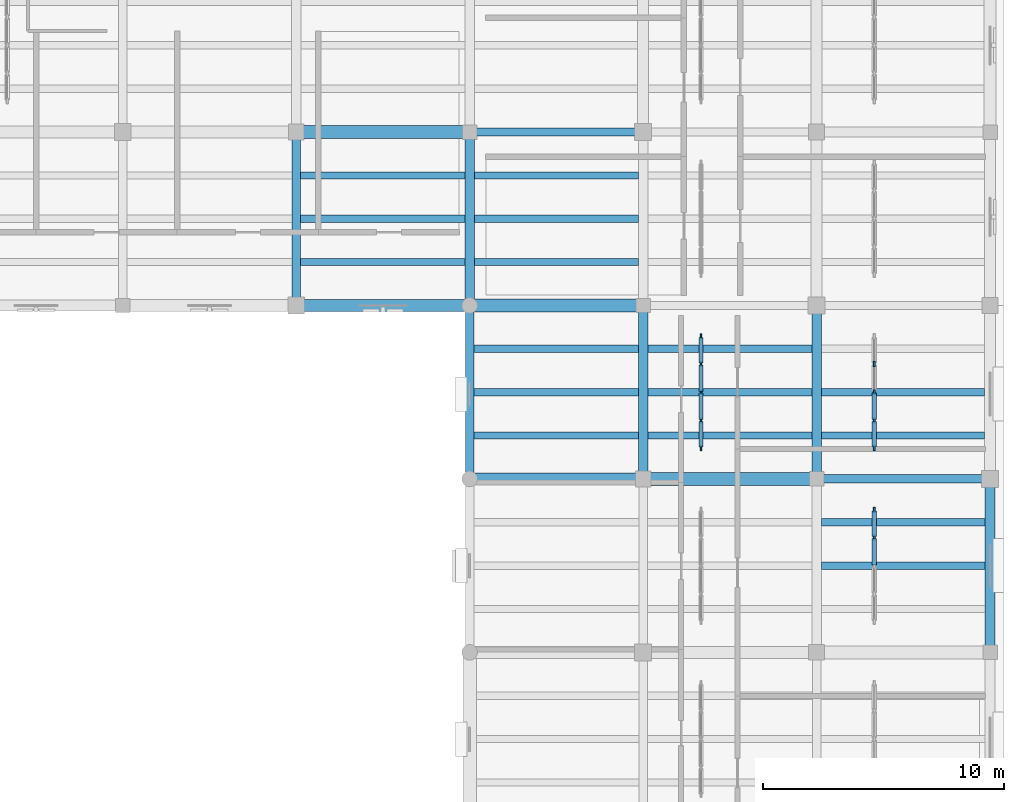
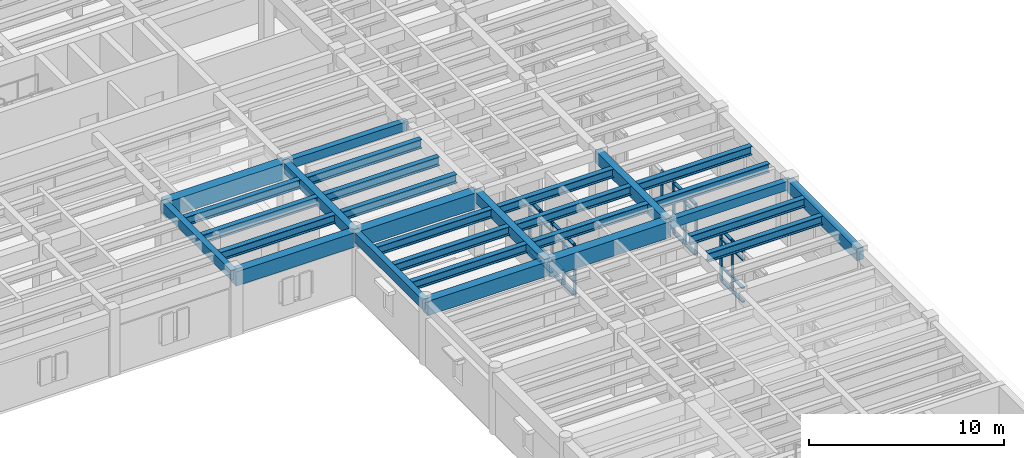
# One storey, part 18 of 66: 43 members, 29 beams, 3 elements without a shape of their own.
"""IFC4 building model written with IfcOpenShell, lengths in metres."""

from ifc_helpers import new_model, si_unit, direction, frame, origin, origin_2d, place, context, subcontext, project, spatial, rectangle, i_section, extrude, material, material_profile, profile_set, type_object, element, aggregate, save


model = new_model("IFC4")

# Units and contexts
model_context = context("Model", 3, precision=1e-05, world=origin(), true_north=direction((0.0, 1.0)))
body_context = subcontext(model_context, "Body", "Model", "MODEL_VIEW")
ifc_project = project(units=[si_unit("LENGTHUNIT", "METRE"), si_unit("AREAUNIT", "SQUARE_METRE"), si_unit("VOLUMEUNIT", "CUBIC_METRE"), si_unit("PLANEANGLEUNIT", "RADIAN"), si_unit("MASSUNIT", "GRAM", prefix="KILO")], contexts=[model_context])

# Site, building, storey
site_placement = place(None, origin())
site = spatial("IfcSite", under=ifc_project, at=site_placement, CompositionType="ELEMENT")
building_placement = place(site_placement, origin())
building = spatial("IfcBuilding", under=site, at=building_placement, Name="Mithqara Police Headquarters", CompositionType="ELEMENT")
storey_placement = place(building_placement, frame((0.0, 0.0, 9.60009765625)))
storey = spatial("IfcBuildingStorey", under=building, at=storey_placement, Name="L02", CompositionType="ELEMENT", Elevation=9.60009765625)

# Beams
ifc_material_1 = material(Name="Steel S355JR", Category="steel")
ifc_material_profile_1 = material_profile(ifc_material_1, i_section(OverallWidth=0.300048828125, OverallDepth=0.550048828125, WebThickness=0.014892578125, FlangeThickness=0.029052734375, FilletRadius=0.027099609375, at=origin_2d()), Name="HEB 550")
ifc_profile_set_1 = profile_set([ifc_material_profile_1], Name="Steel S355JR")
beam_type_1 = type_object("IfcBeamType", Name="BEAM HEB550", PredefinedType="BEAM", material=ifc_profile_set_1)
for number, where, z_axis, x_axis, name in (
    (1, (137.574951171875, 80.39990234375, 3.664794921875), (1.0, 0.0, 0.0), (0.0, 1.0, 0.0), "L02 Composite Steel Joist 20-21/M.1"),
    (2, (137.574951171875, 82.199951171875, 3.664794921875), (1.0, 0.0, 0.0), (0.0, 1.0, 0.0), "L02 Composite Steel Joist 20-21/M.2"),
    (3, (137.574951171875, 84.0, 3.664794921875), (1.0, 0.0, 0.0), (0.0, 1.0, 0.0), "L02 Composite Steel Joist 20-21/M.3"),
):
    element("IfcBeam", number, at=place(storey_placement, frame(where, z_axis=z_axis, x_axis=x_axis)), inside=storey, type_object=beam_type_1, Name=name, PredefinedType="BEAM", context=body_context, shape_type="SweptSolid", body=[
        extrude(i_section(OverallWidth=0.300048828125, OverallDepth=0.550048828125, WebThickness=0.014892578125, FlangeThickness=0.029052734375, FilletRadius=0.027099609375, at=origin_2d()), origin(), (0.0, 0.0, 1.0), 6.824951171875),
    ])
for number, where, z_axis, x_axis, name in (
    (4, (144.77490234375, 73.199951171875, 3.664794921875), (1.0, 0.0, 0.0), (0.0, 1.0, 0.0), "L02 Composite Steel Joist 21-22/L.1"),
    (5, (144.77490234375, 75.0, 3.664794921875), (1.0, 0.0, 0.0), (0.0, 1.0, 0.0), "L02 Composite Steel Joist 21-22/L.2"),
    (6, (144.77490234375, 76.800048828125, 3.664794921875), (1.0, 0.0, 0.0), (0.0, 1.0, 0.0), "L02 Composite Steel Joist 21-22/L.3"),
):
    element("IfcBeam", number, at=place(storey_placement, frame(where, z_axis=z_axis, x_axis=x_axis)), inside=storey, type_object=beam_type_1, Name=name, PredefinedType="BEAM", context=body_context, shape_type="SweptSolid", body=[
        extrude(i_section(OverallWidth=0.300048828125, OverallDepth=0.550048828125, WebThickness=0.014892578125, FlangeThickness=0.029052734375, FilletRadius=0.027099609375, at=origin_2d()), origin(), (0.0, 0.0, 1.0), 6.8251953125),
    ])
for number, where, z_axis, x_axis, name in (
    (7, (144.800048828125, 80.39990234375, 3.664794921875), (1.0, 0.0, 0.0), (0.0, 1.0, 0.0), "L02 Composite Steel Joist 21-22/M.1"),
    (8, (144.800048828125, 82.199951171875, 3.664794921875), (1.0, 0.0, 0.0), (0.0, 1.0, 0.0), "L02 Composite Steel Joist 21-22/M.2"),
    (9, (144.800048828125, 84.0, 3.664794921875), (1.0, 0.0, 0.0), (0.0, 1.0, 0.0), "L02 Composite Steel Joist 21-22/M.3"),
    (10, (152.0, 73.199951171875, 3.664794921875), (1.0, 0.0, 0.0), (0.0, 1.0, 0.0), "L02 Composite Steel Joist 22-23/L.1"),
    (11, (152.0, 75.0, 3.664794921875), (1.0, 0.0, 0.0), (0.0, 1.0, 0.0), "L02 Composite Steel Joist 22-23/L.2"),
    (12, (152.0, 76.800048828125, 3.664794921875), (1.0, 0.0, 0.0), (0.0, 1.0, 0.0), "L02 Composite Steel Joist 22-23/L.3"),
    (13, (159.199951171875, 67.800048828125, 3.664794921875), (1.0, 0.0, 0.0), (0.0, 1.0, 0.0), "L02 Composite Steel Joist 23-24/K.2"),
    (14, (159.199951171875, 69.60009765625, 3.664794921875), (1.0, 0.0, 0.0), (0.0, 1.0, 0.0), "L02 Composite Steel Joist 23-24/K.3"),
):
    element("IfcBeam", number, at=place(storey_placement, frame(where, z_axis=z_axis, x_axis=x_axis)), inside=storey, type_object=beam_type_1, Name=name, PredefinedType="BEAM", context=body_context, shape_type="SweptSolid", body=[
        extrude(i_section(OverallWidth=0.300048828125, OverallDepth=0.550048828125, WebThickness=0.014892578125, FlangeThickness=0.029052734375, FilletRadius=0.027099609375, at=origin_2d()), origin(), (0.0, 0.0, 1.0), 6.800048828125),
    ])
for number, where, z_axis, x_axis, name in (
    (15, (159.199951171875, 73.199951171875, 3.664794921875), (1.0, 0.0, 0.0), (0.0, 1.0, 0.0), "L02 Composite Steel Joist 23-24/L.1"),
    (16, (159.199951171875, 75.0, 3.664794921875), (1.0, 0.0, 0.0), (0.0, 1.0, 0.0), "L02 Composite Steel Joist 23-24/L.2"),
):
    element("IfcBeam", number, at=place(storey_placement, frame(where, z_axis=z_axis, x_axis=x_axis)), inside=storey, type_object=beam_type_1, Name=name, PredefinedType="BEAM", context=body_context, shape_type="SweptSolid", body=[
        extrude(i_section(OverallWidth=0.300048828125, OverallDepth=0.550048828125, WebThickness=0.014892578125, FlangeThickness=0.029052734375, FilletRadius=0.027099609375, at=origin_2d()), origin(), (0.0, 0.0, 1.0), 6.775146484375),
    ])
ifc_material_2 = material(Name="Concrete C40/50", Category="concrete")
ifc_material_profile_2 = material_profile(ifc_material_2, rectangle(XDim=0.35009765625, YDim=0.550048828125, at=origin_2d()), Name="RC 350x550")
ifc_profile_set_2 = profile_set([ifc_material_profile_2], Name="Concrete C40/50")
beam_type_2 = type_object("IfcBeamType", Name="BEAM RC350X550", PredefinedType="BEAM", material=ifc_profile_set_2)
for number, where, z_axis, x_axis, name in (
    (17, (144.60009765625, 85.800048828125, 3.664794921875), (1.0, 0.0, 0.0), (0.0, 1.0, 0.0), "L02 Girder 21-22/N"),
    (18, (159.0, 71.39990234375, 3.664794921875), (1.0, 0.0, 0.0), (0.0, 1.0, 0.0), "L02 Girder 23-24/L"),
):
    element("IfcBeam", number, at=place(storey_placement, frame(where, z_axis=z_axis, x_axis=x_axis)), inside=storey, type_object=beam_type_2, Name=name, PredefinedType="BEAM", context=body_context, shape_type="SweptSolid", body=[
        extrude(rectangle(XDim=0.35009765625, YDim=0.550048828125, at=origin_2d()), origin(), (0.0, 0.0, 1.0), 7.199951171875),
    ])
ifc_material_profile_3 = material_profile(ifc_material_2, rectangle(XDim=0.35009765625, YDim=0.60009765625, at=origin_2d()), Name="RC 350x600")
ifc_profile_set_3 = profile_set([ifc_material_profile_3], Name="Concrete C40/50")
beam_type_3 = type_object("IfcBeamType", Name="BEAM RC350X600", PredefinedType="BEAM", material=ifc_profile_set_3)
beam_1_placement = place(storey_placement, frame((137.39990234375, 78.60009765625, 3.639892578125), z_axis=(0.0, 1.0, 0.0), x_axis=(-1.0, 0.0, 0.0)))
element("IfcBeam", 19, at=beam_1_placement, inside=storey, type_object=beam_type_3, Name="L02 Girder 20/M-N", PredefinedType="BEAM", context=body_context, shape_type="SweptSolid", body=[
    extrude(rectangle(XDim=0.35009765625, YDim=0.60009765625, at=origin_2d()), origin(), (0.0, 0.0, 1.0), 7.199951171875),
])
beam_2_placement = place(storey_placement, frame((144.60009765625, 71.39990234375, 3.639892578125), z_axis=(0.0, 1.0, 0.0), x_axis=(-1.0, 0.0, 0.0)))
element("IfcBeam", 20, at=beam_2_placement, inside=storey, type_object=beam_type_3, Name="L02 Girder 21/L-M", PredefinedType="BEAM", context=body_context, shape_type="SweptSolid", body=[
    extrude(rectangle(XDim=0.35009765625, YDim=0.60009765625, at=origin_2d()), origin(), (0.0, 0.0, 1.0), 7.2001953125),
])
ifc_material_profile_4 = material_profile(ifc_material_2, rectangle(XDim=0.39990234375, YDim=0.64990234375, at=origin_2d()), Name="RC 400x650")
ifc_profile_set_4 = profile_set([ifc_material_profile_4], Name="Concrete C40/50")
beam_type_4 = type_object("IfcBeamType", Name="BEAM RC400X650", PredefinedType="BEAM", material=ifc_profile_set_4)
beam_3_placement = place(storey_placement, frame((144.60009765625, 78.60009765625, 3.614990234375), z_axis=(0.0, 1.0, 0.0), x_axis=(-1.0, 0.0, 0.0)))
element("IfcBeam", 21, at=beam_3_placement, inside=storey, type_object=beam_type_4, Name="L02 Girder 21/M-N", PredefinedType="BEAM", context=body_context, shape_type="SweptSolid", body=[
    extrude(rectangle(XDim=0.39990234375, YDim=0.64990234375, at=origin_2d()), origin(), (0.0, 0.0, 1.0), 7.199951171875),
])
beam_4_placement = place(storey_placement, frame((151.800048828125, 71.39990234375, 3.614990234375), z_axis=(0.0, 1.0, 0.0), x_axis=(-1.0, 0.0, 0.0)))
element("IfcBeam", 22, at=beam_4_placement, inside=storey, type_object=beam_type_4, Name="L02 Girder 22/L-M", PredefinedType="BEAM", context=body_context, shape_type="SweptSolid", body=[
    extrude(rectangle(XDim=0.39990234375, YDim=0.64990234375, at=origin_2d()), origin(), (0.0, 0.0, 1.0), 7.2001953125),
])
ifc_material_profile_5 = material_profile(ifc_material_2, rectangle(XDim=0.39990234375, YDim=0.75, at=origin_2d()), Name="RC 400x750")
ifc_profile_set_5 = profile_set([ifc_material_profile_5], Name="Concrete C40/50")
beam_type_5 = type_object("IfcBeamType", Name="BEAM RC400X750", PredefinedType="BEAM", material=ifc_profile_set_5)
beam_5_placement = place(storey_placement, frame((159.0, 71.39990234375, 3.56494140625), z_axis=(0.0, 1.0, 0.0), x_axis=(-1.0, 0.0, 0.0)))
element("IfcBeam", 23, at=beam_5_placement, inside=storey, type_object=beam_type_5, Name="L02 Girder 23/L-M", PredefinedType="BEAM", context=body_context, shape_type="SweptSolid", body=[
    extrude(rectangle(XDim=0.39990234375, YDim=0.75, at=origin_2d()), origin(), (0.0, 0.0, 1.0), 7.2001953125),
])
beam_6_placement = place(storey_placement, frame((166.199951171875, 64.199951171875, 3.56494140625), z_axis=(0.0, 1.0, 0.0), x_axis=(-1.0, 0.0, 0.0)))
element("IfcBeam", 24, at=beam_6_placement, inside=storey, type_object=beam_type_5, Name="L02 Girder 24/K-L", PredefinedType="BEAM", context=body_context, shape_type="SweptSolid", body=[
    extrude(rectangle(XDim=0.39990234375, YDim=0.75, at=origin_2d()), origin(), (0.0, 0.0, 1.0), 7.199951171875),
])
ifc_material_3 = material(Name="Concrete C50/60", Category="concrete")
ifc_material_profile_6 = material_profile(ifc_material_3, rectangle(XDim=0.5, YDim=0.89990234375, at=origin_2d()), Name="RC 500x900")
ifc_profile_set_6 = profile_set([ifc_material_profile_6], Name="Concrete C50/60")
beam_type_6 = type_object("IfcBeamType", Name="BEAM RC500X900", PredefinedType="BEAM", material=ifc_profile_set_6)
beam_7_placement = place(storey_placement, frame((137.39990234375, 78.60009765625, 3.489990234375), z_axis=(1.0, 0.0, 0.0), x_axis=(0.0, 1.0, 0.0)))
element("IfcBeam", 25, at=beam_7_placement, inside=storey, type_object=beam_type_6, Name="L02 Girder 20-21/M", PredefinedType="BEAM", context=body_context, shape_type="SweptSolid", body=[
    extrude(rectangle(XDim=0.5, YDim=0.89990234375, at=origin_2d()), origin(), (0.0, 0.0, 1.0), 7.2001953125),
])
beam_8_placement = place(storey_placement, frame((144.60009765625, 71.39990234375, 3.489990234375), z_axis=(1.0, 0.0, 0.0), x_axis=(0.0, 1.0, 0.0)))
element("IfcBeam", 26, at=beam_8_placement, inside=storey, type_object=beam_type_6, Name="L02 Girder 21-22/L", PredefinedType="BEAM", context=body_context, shape_type="SweptSolid", body=[
    extrude(rectangle(XDim=0.5, YDim=0.89990234375, at=origin_2d()), origin(), (0.0, 0.0, 1.0), 7.199951171875),
])
ifc_material_profile_7 = material_profile(ifc_material_3, rectangle(XDim=0.550048828125, YDim=1.0, at=origin_2d()), Name="RC 550x1000")
ifc_profile_set_7 = profile_set([ifc_material_profile_7], Name="Concrete C50/60")
beam_type_7 = type_object("IfcBeamType", Name="BEAM RC550X1000", PredefinedType="BEAM", material=ifc_profile_set_7)
beam_9_placement = place(storey_placement, frame((137.39990234375, 85.800048828125, 3.43994140625), z_axis=(1.0, 0.0, 0.0), x_axis=(0.0, 1.0, 0.0)))
element("IfcBeam", 27, at=beam_9_placement, inside=storey, type_object=beam_type_7, Name="L02 Girder 20-21/N", PredefinedType="BEAM", context=body_context, shape_type="SweptSolid", body=[
    extrude(rectangle(XDim=0.550048828125, YDim=1.0, at=origin_2d()), origin(), (0.0, 0.0, 1.0), 7.2001953125),
])
for number, where, z_axis, x_axis, name in (
    (28, (144.60009765625, 78.60009765625, 3.43994140625), (1.0, 0.0, 0.0), (0.0, 1.0, 0.0), "L02 Girder 21-22/M"),
    (29, (151.800048828125, 71.39990234375, 3.43994140625), (1.0, 0.0, 0.0), (0.0, 1.0, 0.0), "L02 Girder 22-23/L"),
):
    element("IfcBeam", number, at=place(storey_placement, frame(where, z_axis=z_axis, x_axis=x_axis)), inside=storey, type_object=beam_type_7, Name=name, PredefinedType="BEAM", context=body_context, shape_type="SweptSolid", body=[
        extrude(rectangle(XDim=0.550048828125, YDim=1.0, at=origin_2d()), origin(), (0.0, 0.0, 1.0), 7.199951171875),
    ])

# Curtain wall, members
ifc_material_4 = material(Name="Bronze anodised aluminium 6063-T6", Category="aluminium")
curtain_wall_type = type_object("IfcCurtainWallType", Name="CURTAIN WALL 4700X3220", PredefinedType="USERDEFINED", material=ifc_material_4)
curtain_wall_1_placement = place(storey_placement, origin())
curtain_wall_1 = element("IfcCurtainWall", 30, at=curtain_wall_1_placement, inside=storey, type_object=curtain_wall_type, Name="L02 Unitised Glazing CW-16 (CW-INT-L02-X21-Y10-0)", ObjectType="UNITISED GLAZING", PredefinedType="USERDEFINED")
ifc_material_profile_8 = material_profile(ifc_material_4, rectangle(XDim=0.074951171875, YDim=0.219970703125, at=origin_2d()), Name="CWM 75x220")
ifc_profile_set_8 = profile_set([ifc_material_profile_8], Name="Bronze anodised aluminium 6063-T6")
member_type_1 = type_object("IfcMemberType", Name="CWMULLION 75X220", PredefinedType="MULLION", material=ifc_profile_set_8)
member_1_placement = place(storey_placement, frame((154.199951171875, 72.6875, 0.0), z_axis=(0.0, 0.0, 1.0), x_axis=(-1.0, 0.0, 0.0)))
member_1 = element("IfcMember", 31, at=member_1_placement, type_object=member_type_1, Name="CW-16 mullion 1", PredefinedType="MULLION", context=body_context, shape_type="SweptSolid", body=[
    extrude(rectangle(XDim=0.074951171875, YDim=0.219970703125, at=origin_2d()), origin(), (0.0, 0.0, 1.0), 3.219970703125),
])
member_2_placement = place(storey_placement, frame((154.199951171875, 73.824951171875, 0.0), z_axis=(0.0, 0.0, 1.0), x_axis=(-1.0, 0.0, 0.0)))
member_2 = element("IfcMember", 32, at=member_2_placement, type_object=member_type_1, Name="CW-16 mullion 2", PredefinedType="MULLION", context=body_context, shape_type="SweptSolid", body=[
    extrude(rectangle(XDim=0.074951171875, YDim=0.219970703125, at=origin_2d()), origin(), (0.0, 0.0, 1.0), 3.219970703125),
])
member_3_placement = place(storey_placement, frame((154.199951171875, 75.0, 0.0), z_axis=(0.0, 0.0, 1.0), x_axis=(-1.0, 0.0, 0.0)))
member_3 = element("IfcMember", 33, at=member_3_placement, type_object=member_type_1, Name="CW-16 mullion 3", PredefinedType="MULLION", context=body_context, shape_type="SweptSolid", body=[
    extrude(rectangle(XDim=0.074951171875, YDim=0.219970703125, at=origin_2d()), origin(), (0.0, 0.0, 1.0), 3.219970703125),
])
member_4_placement = place(storey_placement, frame((154.199951171875, 76.175048828125, 0.0), z_axis=(0.0, 0.0, 1.0), x_axis=(-1.0, 0.0, 0.0)))
member_4 = element("IfcMember", 34, at=member_4_placement, type_object=member_type_1, Name="CW-16 mullion 4", PredefinedType="MULLION", context=body_context, shape_type="SweptSolid", body=[
    extrude(rectangle(XDim=0.074951171875, YDim=0.219970703125, at=origin_2d()), origin(), (0.0, 0.0, 1.0), 3.219970703125),
])
member_5_placement = place(storey_placement, frame((154.199951171875, 77.3125, 0.0), z_axis=(0.0, 0.0, 1.0), x_axis=(-1.0, 0.0, 0.0)))
member_5 = element("IfcMember", 35, at=member_5_placement, type_object=member_type_1, Name="CW-16 mullion 5", PredefinedType="MULLION", context=body_context, shape_type="SweptSolid", body=[
    extrude(rectangle(XDim=0.074951171875, YDim=0.219970703125, at=origin_2d()), origin(), (0.0, 0.0, 1.0), 3.219970703125),
])

curtain_wall_2_placement = place(storey_placement, origin())
curtain_wall_2 = element("IfcCurtainWall", 36, at=curtain_wall_2_placement, inside=storey, type_object=curtain_wall_type, Name="L02 Unitised Glazing CW-16 (CW-INT-L02-X22-Y09-0)", ObjectType="UNITISED GLAZING", PredefinedType="USERDEFINED")
member_6_placement = place(storey_placement, frame((161.39990234375, 68.97509765625, 0.0), z_axis=(0.0, 0.0, 1.0), x_axis=(-1.0, 0.0, 0.0)))
member_6 = element("IfcMember", 37, at=member_6_placement, type_object=member_type_1, Name="CW-16 mullion 4", PredefinedType="MULLION", context=body_context, shape_type="SweptSolid", body=[
    extrude(rectangle(XDim=0.074951171875, YDim=0.219970703125, at=origin_2d()), origin(), (0.0, 0.0, 1.0), 3.219970703125),
])
member_7_placement = place(storey_placement, frame((161.39990234375, 70.112548828125, 0.0), z_axis=(0.0, 0.0, 1.0), x_axis=(-1.0, 0.0, 0.0)))
member_7 = element("IfcMember", 38, at=member_7_placement, type_object=member_type_1, Name="CW-16 mullion 5", PredefinedType="MULLION", context=body_context, shape_type="SweptSolid", body=[
    extrude(rectangle(XDim=0.074951171875, YDim=0.219970703125, at=origin_2d()), origin(), (0.0, 0.0, 1.0), 3.219970703125),
])

curtain_wall_3_placement = place(storey_placement, origin())
curtain_wall_3 = element("IfcCurtainWall", 39, at=curtain_wall_3_placement, inside=storey, type_object=curtain_wall_type, Name="L02 Unitised Glazing CW-16 (CW-INT-L02-X22-Y10-0)", ObjectType="UNITISED GLAZING", PredefinedType="USERDEFINED")
member_8_placement = place(storey_placement, frame((161.39990234375, 72.6875, 0.0), z_axis=(0.0, 0.0, 1.0), x_axis=(-1.0, 0.0, 0.0)))
member_8 = element("IfcMember", 40, at=member_8_placement, type_object=member_type_1, Name="CW-16 mullion 1", PredefinedType="MULLION", context=body_context, shape_type="SweptSolid", body=[
    extrude(rectangle(XDim=0.074951171875, YDim=0.219970703125, at=origin_2d()), origin(), (0.0, 0.0, 1.0), 3.219970703125),
])
member_9_placement = place(storey_placement, frame((161.39990234375, 73.824951171875, 0.0), z_axis=(0.0, 0.0, 1.0), x_axis=(-1.0, 0.0, 0.0)))
member_9 = element("IfcMember", 41, at=member_9_placement, type_object=member_type_1, Name="CW-16 mullion 2", PredefinedType="MULLION", context=body_context, shape_type="SweptSolid", body=[
    extrude(rectangle(XDim=0.074951171875, YDim=0.219970703125, at=origin_2d()), origin(), (0.0, 0.0, 1.0), 3.219970703125),
])
member_10_placement = place(storey_placement, frame((161.39990234375, 75.0, 0.0), z_axis=(0.0, 0.0, 1.0), x_axis=(-1.0, 0.0, 0.0)))
member_10 = element("IfcMember", 42, at=member_10_placement, type_object=member_type_1, Name="CW-16 mullion 3", PredefinedType="MULLION", context=body_context, shape_type="SweptSolid", body=[
    extrude(rectangle(XDim=0.074951171875, YDim=0.219970703125, at=origin_2d()), origin(), (0.0, 0.0, 1.0), 3.219970703125),
])
member_11_placement = place(storey_placement, frame((161.39990234375, 76.175048828125, 0.0), z_axis=(0.0, 0.0, 1.0), x_axis=(-1.0, 0.0, 0.0)))
member_11 = element("IfcMember", 43, at=member_11_placement, type_object=member_type_1, Name="CW-16 mullion 4", PredefinedType="MULLION", context=body_context, shape_type="SweptSolid", body=[
    extrude(rectangle(XDim=0.074951171875, YDim=0.219970703125, at=origin_2d()), origin(), (0.0, 0.0, 1.0), 3.219970703125),
])

# Member
ifc_material_profile_9 = material_profile(ifc_material_4, rectangle(XDim=0.179931640625, YDim=0.074951171875, at=origin_2d()), Name="CWT 180x75")
ifc_profile_set_9 = profile_set([ifc_material_profile_9], Name="Bronze anodised aluminium 6063-T6")
member_type_2 = type_object("IfcMemberType", Name="CWTRANSOM 180X75", PredefinedType="USERDEFINED", material=ifc_profile_set_9)
member_12_placement = place(storey_placement, frame((154.199951171875, 72.72509765625, 0.037353515625), z_axis=(0.0, 1.0, 0.0), x_axis=(-1.0, 0.0, 0.0)))
member_12 = element("IfcMember", 44, at=member_12_placement, type_object=member_type_2, Name="CW-16 transom 1.1", ObjectType="TRANSOM", PredefinedType="USERDEFINED", context=body_context, shape_type="SweptSolid", body=[
    extrude(rectangle(XDim=0.179931640625, YDim=0.074951171875, at=origin_2d()), origin(), (0.0, 0.0, 1.0), 1.0625),
])

member_13_placement = place(storey_placement, frame((154.199951171875, 72.72509765625, 0.89990234375), z_axis=(0.0, 1.0, 0.0), x_axis=(-1.0, 0.0, 0.0)))
member_13 = element("IfcMember", 45, at=member_13_placement, type_object=member_type_2, Name="CW-16 transom 1.2", ObjectType="TRANSOM", PredefinedType="USERDEFINED", context=body_context, shape_type="SweptSolid", body=[
    extrude(rectangle(XDim=0.179931640625, YDim=0.074951171875, at=origin_2d()), origin(), (0.0, 0.0, 1.0), 1.0625),
])

member_14_placement = place(storey_placement, frame((154.199951171875, 72.72509765625, 2.669921875), z_axis=(0.0, 1.0, 0.0), x_axis=(-1.0, 0.0, 0.0)))
member_14 = element("IfcMember", 46, at=member_14_placement, type_object=member_type_2, Name="CW-16 transom 1.3", ObjectType="TRANSOM", PredefinedType="USERDEFINED", context=body_context, shape_type="SweptSolid", body=[
    extrude(rectangle(XDim=0.179931640625, YDim=0.074951171875, at=origin_2d()), origin(), (0.0, 0.0, 1.0), 1.0625),
])

member_15_placement = place(storey_placement, frame((154.199951171875, 72.72509765625, 3.182373046875), z_axis=(0.0, 1.0, 0.0), x_axis=(-1.0, 0.0, 0.0)))
member_15 = element("IfcMember", 47, at=member_15_placement, type_object=member_type_2, Name="CW-16 transom 1.4", ObjectType="TRANSOM", PredefinedType="USERDEFINED", context=body_context, shape_type="SweptSolid", body=[
    extrude(rectangle(XDim=0.179931640625, YDim=0.074951171875, at=origin_2d()), origin(), (0.0, 0.0, 1.0), 1.0625),
])

member_16_placement = place(storey_placement, frame((154.199951171875, 73.862548828125, 0.037353515625), z_axis=(0.0, 1.0, 0.0), x_axis=(-1.0, 0.0, 0.0)))
member_16 = element("IfcMember", 48, at=member_16_placement, type_object=member_type_2, Name="CW-16 transom 2.1", ObjectType="TRANSOM", PredefinedType="USERDEFINED", context=body_context, shape_type="SweptSolid", body=[
    extrude(rectangle(XDim=0.179931640625, YDim=0.074951171875, at=origin_2d()), origin(), (0.0, 0.0, 1.0), 1.099853515625),
])

member_17_placement = place(storey_placement, frame((154.199951171875, 73.862548828125, 0.89990234375), z_axis=(0.0, 1.0, 0.0), x_axis=(-1.0, 0.0, 0.0)))
member_17 = element("IfcMember", 49, at=member_17_placement, type_object=member_type_2, Name="CW-16 transom 2.2", ObjectType="TRANSOM", PredefinedType="USERDEFINED", context=body_context, shape_type="SweptSolid", body=[
    extrude(rectangle(XDim=0.179931640625, YDim=0.074951171875, at=origin_2d()), origin(), (0.0, 0.0, 1.0), 1.099853515625),
])

member_18_placement = place(storey_placement, frame((154.199951171875, 73.862548828125, 2.669921875), z_axis=(0.0, 1.0, 0.0), x_axis=(-1.0, 0.0, 0.0)))
member_18 = element("IfcMember", 50, at=member_18_placement, type_object=member_type_2, Name="CW-16 transom 2.3", ObjectType="TRANSOM", PredefinedType="USERDEFINED", context=body_context, shape_type="SweptSolid", body=[
    extrude(rectangle(XDim=0.179931640625, YDim=0.074951171875, at=origin_2d()), origin(), (0.0, 0.0, 1.0), 1.099853515625),
])

member_19_placement = place(storey_placement, frame((154.199951171875, 73.862548828125, 3.182373046875), z_axis=(0.0, 1.0, 0.0), x_axis=(-1.0, 0.0, 0.0)))
member_19 = element("IfcMember", 51, at=member_19_placement, type_object=member_type_2, Name="CW-16 transom 2.4", ObjectType="TRANSOM", PredefinedType="USERDEFINED", context=body_context, shape_type="SweptSolid", body=[
    extrude(rectangle(XDim=0.179931640625, YDim=0.074951171875, at=origin_2d()), origin(), (0.0, 0.0, 1.0), 1.099853515625),
])

member_20_placement = place(storey_placement, frame((154.199951171875, 75.03759765625, 0.037353515625), z_axis=(0.0, 1.0, 0.0), x_axis=(-1.0, 0.0, 0.0)))
member_20 = element("IfcMember", 52, at=member_20_placement, type_object=member_type_2, Name="CW-16 transom 3.1", ObjectType="TRANSOM", PredefinedType="USERDEFINED", context=body_context, shape_type="SweptSolid", body=[
    extrude(rectangle(XDim=0.179931640625, YDim=0.074951171875, at=origin_2d()), origin(), (0.0, 0.0, 1.0), 1.099853515625),
])

member_21_placement = place(storey_placement, frame((154.199951171875, 75.03759765625, 0.89990234375), z_axis=(0.0, 1.0, 0.0), x_axis=(-1.0, 0.0, 0.0)))
member_21 = element("IfcMember", 53, at=member_21_placement, type_object=member_type_2, Name="CW-16 transom 3.2", ObjectType="TRANSOM", PredefinedType="USERDEFINED", context=body_context, shape_type="SweptSolid", body=[
    extrude(rectangle(XDim=0.179931640625, YDim=0.074951171875, at=origin_2d()), origin(), (0.0, 0.0, 1.0), 1.099853515625),
])

member_22_placement = place(storey_placement, frame((154.199951171875, 75.03759765625, 2.669921875), z_axis=(0.0, 1.0, 0.0), x_axis=(-1.0, 0.0, 0.0)))
member_22 = element("IfcMember", 54, at=member_22_placement, type_object=member_type_2, Name="CW-16 transom 3.3", ObjectType="TRANSOM", PredefinedType="USERDEFINED", context=body_context, shape_type="SweptSolid", body=[
    extrude(rectangle(XDim=0.179931640625, YDim=0.074951171875, at=origin_2d()), origin(), (0.0, 0.0, 1.0), 1.099853515625),
])

member_23_placement = place(storey_placement, frame((154.199951171875, 75.03759765625, 3.182373046875), z_axis=(0.0, 1.0, 0.0), x_axis=(-1.0, 0.0, 0.0)))
member_23 = element("IfcMember", 55, at=member_23_placement, type_object=member_type_2, Name="CW-16 transom 3.4", ObjectType="TRANSOM", PredefinedType="USERDEFINED", context=body_context, shape_type="SweptSolid", body=[
    extrude(rectangle(XDim=0.179931640625, YDim=0.074951171875, at=origin_2d()), origin(), (0.0, 0.0, 1.0), 1.099853515625),
])

member_24_placement = place(storey_placement, frame((154.199951171875, 76.21240234375, 0.037353515625), z_axis=(0.0, 1.0, 0.0), x_axis=(-1.0, 0.0, 0.0)))
member_24 = element("IfcMember", 56, at=member_24_placement, type_object=member_type_2, Name="CW-16 transom 4.1", ObjectType="TRANSOM", PredefinedType="USERDEFINED", context=body_context, shape_type="SweptSolid", body=[
    extrude(rectangle(XDim=0.179931640625, YDim=0.074951171875, at=origin_2d()), origin(), (0.0, 0.0, 1.0), 1.0625),
])

member_25_placement = place(storey_placement, frame((154.199951171875, 76.21240234375, 0.89990234375), z_axis=(0.0, 1.0, 0.0), x_axis=(-1.0, 0.0, 0.0)))
member_25 = element("IfcMember", 57, at=member_25_placement, type_object=member_type_2, Name="CW-16 transom 4.2", ObjectType="TRANSOM", PredefinedType="USERDEFINED", context=body_context, shape_type="SweptSolid", body=[
    extrude(rectangle(XDim=0.179931640625, YDim=0.074951171875, at=origin_2d()), origin(), (0.0, 0.0, 1.0), 1.0625),
])

member_26_placement = place(storey_placement, frame((154.199951171875, 76.21240234375, 2.669921875), z_axis=(0.0, 1.0, 0.0), x_axis=(-1.0, 0.0, 0.0)))
member_26 = element("IfcMember", 58, at=member_26_placement, type_object=member_type_2, Name="CW-16 transom 4.3", ObjectType="TRANSOM", PredefinedType="USERDEFINED", context=body_context, shape_type="SweptSolid", body=[
    extrude(rectangle(XDim=0.179931640625, YDim=0.074951171875, at=origin_2d()), origin(), (0.0, 0.0, 1.0), 1.0625),
])

member_27_placement = place(storey_placement, frame((154.199951171875, 76.21240234375, 3.182373046875), z_axis=(0.0, 1.0, 0.0), x_axis=(-1.0, 0.0, 0.0)))
member_27 = element("IfcMember", 59, at=member_27_placement, type_object=member_type_2, Name="CW-16 transom 4.4", ObjectType="TRANSOM", PredefinedType="USERDEFINED", context=body_context, shape_type="SweptSolid", body=[
    extrude(rectangle(XDim=0.179931640625, YDim=0.074951171875, at=origin_2d()), origin(), (0.0, 0.0, 1.0), 1.0625),
])

aggregate(curtain_wall_1, [member_1, member_2, member_3, member_4, member_5, member_12, member_13, member_14, member_15, member_16, member_17, member_18, member_19, member_20, member_21, member_22, member_23, member_24, member_25, member_26, member_27])

member_28_placement = place(storey_placement, frame((161.39990234375, 67.83740234375, 0.037353515625), z_axis=(0.0, 1.0, 0.0), x_axis=(-1.0, 0.0, 0.0)))
member_28 = element("IfcMember", 60, at=member_28_placement, type_object=member_type_2, Name="CW-16 transom 3.1", ObjectType="TRANSOM", PredefinedType="USERDEFINED", context=body_context, shape_type="SweptSolid", body=[
    extrude(rectangle(XDim=0.179931640625, YDim=0.074951171875, at=origin_2d()), origin(), (0.0, 0.0, 1.0), 1.10009765625),
])

member_29_placement = place(storey_placement, frame((161.39990234375, 67.83740234375, 0.89990234375), z_axis=(0.0, 1.0, 0.0), x_axis=(-1.0, 0.0, 0.0)))
member_29 = element("IfcMember", 61, at=member_29_placement, type_object=member_type_2, Name="CW-16 transom 3.2", ObjectType="TRANSOM", PredefinedType="USERDEFINED", context=body_context, shape_type="SweptSolid", body=[
    extrude(rectangle(XDim=0.179931640625, YDim=0.074951171875, at=origin_2d()), origin(), (0.0, 0.0, 1.0), 1.10009765625),
])

member_30_placement = place(storey_placement, frame((161.39990234375, 67.83740234375, 2.669921875), z_axis=(0.0, 1.0, 0.0), x_axis=(-1.0, 0.0, 0.0)))
member_30 = element("IfcMember", 62, at=member_30_placement, type_object=member_type_2, Name="CW-16 transom 3.3", ObjectType="TRANSOM", PredefinedType="USERDEFINED", context=body_context, shape_type="SweptSolid", body=[
    extrude(rectangle(XDim=0.179931640625, YDim=0.074951171875, at=origin_2d()), origin(), (0.0, 0.0, 1.0), 1.10009765625),
])

member_31_placement = place(storey_placement, frame((161.39990234375, 67.83740234375, 3.182373046875), z_axis=(0.0, 1.0, 0.0), x_axis=(-1.0, 0.0, 0.0)))
member_31 = element("IfcMember", 63, at=member_31_placement, type_object=member_type_2, Name="CW-16 transom 3.4", ObjectType="TRANSOM", PredefinedType="USERDEFINED", context=body_context, shape_type="SweptSolid", body=[
    extrude(rectangle(XDim=0.179931640625, YDim=0.074951171875, at=origin_2d()), origin(), (0.0, 0.0, 1.0), 1.10009765625),
])

member_32_placement = place(storey_placement, frame((161.39990234375, 69.012451171875, 0.037353515625), z_axis=(0.0, 1.0, 0.0), x_axis=(-1.0, 0.0, 0.0)))
member_32 = element("IfcMember", 64, at=member_32_placement, type_object=member_type_2, Name="CW-16 transom 4.1", ObjectType="TRANSOM", PredefinedType="USERDEFINED", context=body_context, shape_type="SweptSolid", body=[
    extrude(rectangle(XDim=0.179931640625, YDim=0.074951171875, at=origin_2d()), origin(), (0.0, 0.0, 1.0), 1.0625),
])

member_33_placement = place(storey_placement, frame((161.39990234375, 69.012451171875, 0.89990234375), z_axis=(0.0, 1.0, 0.0), x_axis=(-1.0, 0.0, 0.0)))
member_33 = element("IfcMember", 65, at=member_33_placement, type_object=member_type_2, Name="CW-16 transom 4.2", ObjectType="TRANSOM", PredefinedType="USERDEFINED", context=body_context, shape_type="SweptSolid", body=[
    extrude(rectangle(XDim=0.179931640625, YDim=0.074951171875, at=origin_2d()), origin(), (0.0, 0.0, 1.0), 1.0625),
])

member_34_placement = place(storey_placement, frame((161.39990234375, 69.012451171875, 2.669921875), z_axis=(0.0, 1.0, 0.0), x_axis=(-1.0, 0.0, 0.0)))
member_34 = element("IfcMember", 66, at=member_34_placement, type_object=member_type_2, Name="CW-16 transom 4.3", ObjectType="TRANSOM", PredefinedType="USERDEFINED", context=body_context, shape_type="SweptSolid", body=[
    extrude(rectangle(XDim=0.179931640625, YDim=0.074951171875, at=origin_2d()), origin(), (0.0, 0.0, 1.0), 1.0625),
])

member_35_placement = place(storey_placement, frame((161.39990234375, 69.012451171875, 3.182373046875), z_axis=(0.0, 1.0, 0.0), x_axis=(-1.0, 0.0, 0.0)))
member_35 = element("IfcMember", 67, at=member_35_placement, type_object=member_type_2, Name="CW-16 transom 4.4", ObjectType="TRANSOM", PredefinedType="USERDEFINED", context=body_context, shape_type="SweptSolid", body=[
    extrude(rectangle(XDim=0.179931640625, YDim=0.074951171875, at=origin_2d()), origin(), (0.0, 0.0, 1.0), 1.0625),
])

aggregate(curtain_wall_2, [member_6, member_7, member_28, member_29, member_30, member_31, member_32, member_33, member_34, member_35])

member_36_placement = place(storey_placement, frame((161.39990234375, 72.72509765625, 0.037353515625), z_axis=(0.0, 1.0, 0.0), x_axis=(-1.0, 0.0, 0.0)))
member_36 = element("IfcMember", 68, at=member_36_placement, type_object=member_type_2, Name="CW-16 transom 1.1", ObjectType="TRANSOM", PredefinedType="USERDEFINED", context=body_context, shape_type="SweptSolid", body=[
    extrude(rectangle(XDim=0.179931640625, YDim=0.074951171875, at=origin_2d()), origin(), (0.0, 0.0, 1.0), 1.0625),
])

member_37_placement = place(storey_placement, frame((161.39990234375, 72.72509765625, 0.89990234375), z_axis=(0.0, 1.0, 0.0), x_axis=(-1.0, 0.0, 0.0)))
member_37 = element("IfcMember", 69, at=member_37_placement, type_object=member_type_2, Name="CW-16 transom 1.2", ObjectType="TRANSOM", PredefinedType="USERDEFINED", context=body_context, shape_type="SweptSolid", body=[
    extrude(rectangle(XDim=0.179931640625, YDim=0.074951171875, at=origin_2d()), origin(), (0.0, 0.0, 1.0), 1.0625),
])

member_38_placement = place(storey_placement, frame((161.39990234375, 72.72509765625, 2.669921875), z_axis=(0.0, 1.0, 0.0), x_axis=(-1.0, 0.0, 0.0)))
member_38 = element("IfcMember", 70, at=member_38_placement, type_object=member_type_2, Name="CW-16 transom 1.3", ObjectType="TRANSOM", PredefinedType="USERDEFINED", context=body_context, shape_type="SweptSolid", body=[
    extrude(rectangle(XDim=0.179931640625, YDim=0.074951171875, at=origin_2d()), origin(), (0.0, 0.0, 1.0), 1.0625),
])

member_39_placement = place(storey_placement, frame((161.39990234375, 72.72509765625, 3.182373046875), z_axis=(0.0, 1.0, 0.0), x_axis=(-1.0, 0.0, 0.0)))
member_39 = element("IfcMember", 71, at=member_39_placement, type_object=member_type_2, Name="CW-16 transom 1.4", ObjectType="TRANSOM", PredefinedType="USERDEFINED", context=body_context, shape_type="SweptSolid", body=[
    extrude(rectangle(XDim=0.179931640625, YDim=0.074951171875, at=origin_2d()), origin(), (0.0, 0.0, 1.0), 1.0625),
])

member_40_placement = place(storey_placement, frame((161.39990234375, 73.862548828125, 0.037353515625), z_axis=(0.0, 1.0, 0.0), x_axis=(-1.0, 0.0, 0.0)))
member_40 = element("IfcMember", 72, at=member_40_placement, type_object=member_type_2, Name="CW-16 transom 2.1", ObjectType="TRANSOM", PredefinedType="USERDEFINED", context=body_context, shape_type="SweptSolid", body=[
    extrude(rectangle(XDim=0.179931640625, YDim=0.074951171875, at=origin_2d()), origin(), (0.0, 0.0, 1.0), 1.099853515625),
])

member_41_placement = place(storey_placement, frame((161.39990234375, 73.862548828125, 0.89990234375), z_axis=(0.0, 1.0, 0.0), x_axis=(-1.0, 0.0, 0.0)))
member_41 = element("IfcMember", 73, at=member_41_placement, type_object=member_type_2, Name="CW-16 transom 2.2", ObjectType="TRANSOM", PredefinedType="USERDEFINED", context=body_context, shape_type="SweptSolid", body=[
    extrude(rectangle(XDim=0.179931640625, YDim=0.074951171875, at=origin_2d()), origin(), (0.0, 0.0, 1.0), 1.099853515625),
])

member_42_placement = place(storey_placement, frame((161.39990234375, 73.862548828125, 2.669921875), z_axis=(0.0, 1.0, 0.0), x_axis=(-1.0, 0.0, 0.0)))
member_42 = element("IfcMember", 74, at=member_42_placement, type_object=member_type_2, Name="CW-16 transom 2.3", ObjectType="TRANSOM", PredefinedType="USERDEFINED", context=body_context, shape_type="SweptSolid", body=[
    extrude(rectangle(XDim=0.179931640625, YDim=0.074951171875, at=origin_2d()), origin(), (0.0, 0.0, 1.0), 1.099853515625),
])

member_43_placement = place(storey_placement, frame((161.39990234375, 73.862548828125, 3.182373046875), z_axis=(0.0, 1.0, 0.0), x_axis=(-1.0, 0.0, 0.0)))
member_43 = element("IfcMember", 75, at=member_43_placement, type_object=member_type_2, Name="CW-16 transom 2.4", ObjectType="TRANSOM", PredefinedType="USERDEFINED", context=body_context, shape_type="SweptSolid", body=[
    extrude(rectangle(XDim=0.179931640625, YDim=0.074951171875, at=origin_2d()), origin(), (0.0, 0.0, 1.0), 1.099853515625),
])

aggregate(curtain_wall_3, [member_8, member_9, member_10, member_11, member_36, member_37, member_38, member_39, member_40, member_41, member_42, member_43])

save(model, "model.ifc")
